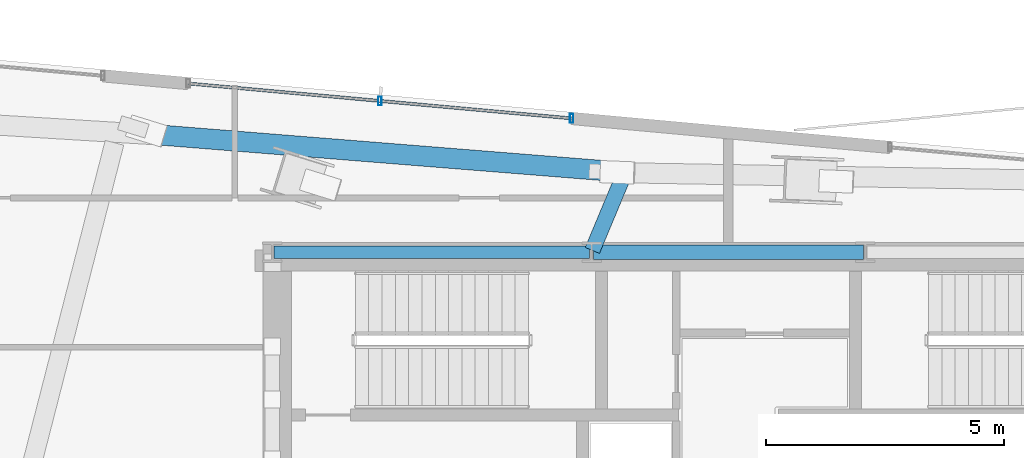
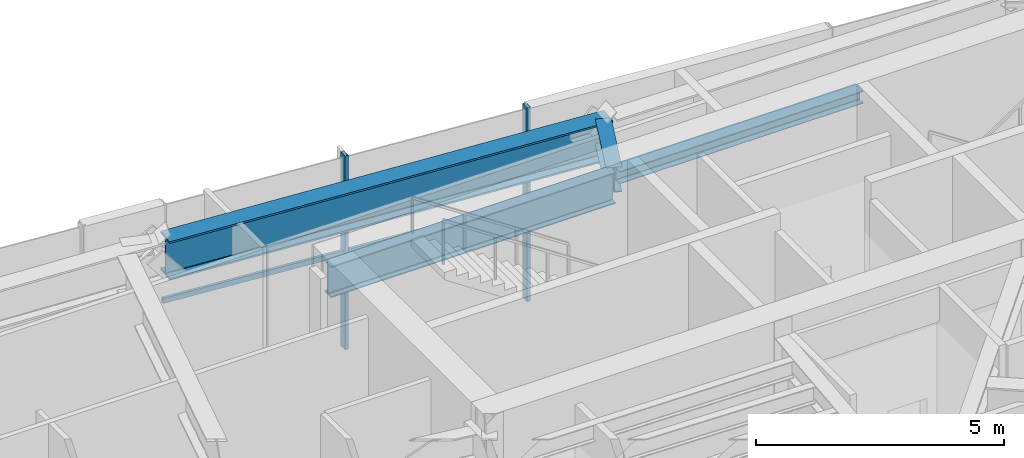
# One storey, part 7 of 20: 4 beams, 4 members, 1 element without a shape of its own.
"""IFC4 building model written with IfcOpenShell, lengths in metres."""

from ifc_helpers import new_model, si_unit, direction, frame, origin, origin_2d, place, context, subcontext, project, spatial, hollow_rectangle, i_section, extrude, source, transform, mapped, material, material_profile, profile_set, type_object, type_shapes, element, aggregate, save


model = new_model("IFC4")

# Units and contexts
model_context = context("Model", 3, precision=1e-05, world=origin(), true_north=direction((0.0, 1.0)))
body_context = subcontext(model_context, "Body", "Model", "MODEL_VIEW")
ifc_project = project(units=[si_unit("LENGTHUNIT", "METRE"), si_unit("AREAUNIT", "SQUARE_METRE"), si_unit("VOLUMEUNIT", "CUBIC_METRE"), si_unit("PLANEANGLEUNIT", "RADIAN"), si_unit("MASSUNIT", "GRAM", prefix="KILO")], contexts=[model_context])

# Site, building, storey
site_placement = place(None, origin())
site = spatial("IfcSite", under=ifc_project, at=site_placement, CompositionType="ELEMENT")
building_placement = place(site_placement, origin())
building = spatial("IfcBuilding", under=site, at=building_placement, Name="Astriad Promenade Condominiums", CompositionType="ELEMENT")
storey_placement = place(building_placement, frame((0.0, 0.0, 211.39990234375)))
storey = spatial("IfcBuildingStorey", under=building, at=storey_placement, Name="L61", CompositionType="ELEMENT", Elevation=211.39990234375)

# Beams
ifc_material_1 = material(Name="Steel ASTM A992 Grade 50", Category="steel")
ifc_material_profile_1 = material_profile(ifc_material_1, i_section(OverallWidth=0.267822265625, OverallDepth=0.76953125, WebThickness=0.015625, FlangeThickness=0.025390625, FilletRadius=0.021484375, at=origin_2d()), Name="W30X132")
ifc_profile_set_1 = profile_set([ifc_material_profile_1], Name="Steel ASTM A992 Grade 50")
beam_type_1 = type_object("IfcBeamType", Name="STEEL FLOOR GIRDER W30X132", PredefinedType="BEAM", material=ifc_profile_set_1)
shared_shape_1 = source(origin(), body_context, "Body", "SweptSolid", [
    extrude(i_section(OverallWidth=0.267822265625, OverallDepth=0.76953125, WebThickness=0.015625, FlangeThickness=0.025390625, FilletRadius=0.021484375, at=origin_2d()), origin(), (0.0, 0.0, 1.0), 6.64013671875),
])
type_shapes(beam_type_1, [shared_shape_1])
beam_1_placement = place(storey_placement, frame((26.43994140625, 24.0, 4.395263671875), z_axis=(1.0, 0.0, 0.0), x_axis=(0.0, 1.0, 0.0)))
element("IfcBeam", 1, at=beam_1_placement, inside=storey, type_object=beam_type_1, Name="Core Ring Beam CG-N1-L61", PredefinedType="BEAM", context=body_context, shape_type="MappedRepresentation", body=[
    mapped(shared_shape_1, transform((0.0, 0.0, 0.0), scale=1.0)),
])
ifc_material_profile_2 = material_profile(ifc_material_1, i_section(OverallWidth=0.3046875, OverallDepth=0.307861328125, WebThickness=0.010009765625, FlangeThickness=0.015380859375, FilletRadius=0.01513671875, at=origin_2d()), Name="W12X65")
ifc_profile_set_2 = profile_set([ifc_material_profile_2], Name="Steel ASTM A992 Grade 50")
beam_type_2 = type_object("IfcBeamType", Name="STEEL OPENING LINTEL W12X65", PredefinedType="LINTEL", material=ifc_profile_set_2)
shared_shape_2 = source(origin(), body_context, "Body", "SweptSolid", [
    extrude(i_section(OverallWidth=0.3046875, OverallDepth=0.307861328125, WebThickness=0.010009765625, FlangeThickness=0.015380859375, FilletRadius=0.01513671875, at=origin_2d()), origin(), (0.0, 0.0, 1.0), 5.68017578125),
])
type_shapes(beam_type_2, [shared_shape_2])
beam_2_placement = place(storey_placement, frame((33.159912109375, 24.0, 4.626220703125), z_axis=(1.0, 0.0, 0.0), x_axis=(0.0, 1.0, 0.0)))
element("IfcBeam", 2, at=beam_2_placement, inside=storey, type_object=beam_type_2, Name="Core Ring Beam CG-N2-L61", PredefinedType="LINTEL", context=body_context, shape_type="MappedRepresentation", body=[
    mapped(shared_shape_2, transform((0.0, 0.0, 0.0), scale=1.0)),
])
ifc_material_profile_3 = material_profile(ifc_material_1, i_section(OverallWidth=0.423095703125, OverallDepth=0.9482421875, WebThickness=0.02392578125, FlangeThickness=0.042724609375, FilletRadius=0.024169921875, at=origin_2d()), Name="W36X302")
ifc_profile_set_3 = profile_set([ifc_material_profile_3], Name="Steel ASTM A992 Grade 50")
beam_type_3 = type_object("IfcBeamType", Name="STEEL PERIMETER RING GIRDER W36X302", PredefinedType="BEAM", material=ifc_profile_set_3)
shared_shape_3 = source(origin(), body_context, "Body", "SweptSolid", [
    extrude(i_section(OverallWidth=0.423095703125, OverallDepth=0.9482421875, WebThickness=0.02392578125, FlangeThickness=0.042724609375, FilletRadius=0.024169921875, at=origin_2d()), origin(), (0.0, 0.0, 1.0), 9.914306640625),
])
type_shapes(beam_type_3, [shared_shape_3])
beam_3_placement = place(storey_placement, frame((33.948974609375, 25.671142578125, 4.305908203125), z_axis=(-0.99680807088, 0.079835266825, 0.0), x_axis=(-0.079835266825, -0.99680807088, 0.0)))
element("IfcBeam", 3, at=beam_3_placement, inside=storey, type_object=beam_type_3, Name="Perimeter Spandrel Beam SP-N2-L61", PredefinedType="BEAM", context=body_context, shape_type="MappedRepresentation", body=[
    mapped(shared_shape_3, transform((0.0, 0.0, 0.0), scale=1.0)),
])
ifc_material_profile_4 = material_profile(ifc_material_1, i_section(OverallWidth=0.326416015625, OverallDepth=0.621826171875, WebThickness=0.015380859375, FlangeThickness=0.0244140625, FilletRadius=0.017822265625, at=origin_2d()), Name="W24X131")
ifc_profile_set_4 = profile_set([ifc_material_profile_4], Name="Steel ASTM A992 Grade 50")
beam_type_4 = type_object("IfcBeamType", Name="STEEL FLOOR GIRDER W24X131", PredefinedType="BEAM", material=ifc_profile_set_4)
shared_shape_4 = source(origin(), body_context, "Body", "SweptSolid", [
    extrude(i_section(OverallWidth=0.326416015625, OverallDepth=0.621826171875, WebThickness=0.015380859375, FlangeThickness=0.0244140625, FilletRadius=0.017822265625, at=origin_2d()), origin(), (0.0, 0.0, 1.0), 1.7353515625),
])
type_shapes(beam_type_4, [shared_shape_4])
beam_4_placement = place(storey_placement, frame((33.804931640625, 25.637939453125, 4.46923828125), z_axis=(-0.385753878252, -0.922601726323, 0.0), x_axis=(0.922601726323, -0.385753878252, 0.0)))
element("IfcBeam", 4, at=beam_4_placement, inside=storey, type_object=beam_type_4, Name="Primary Floor Girder PG-NC-L61", PredefinedType="BEAM", context=body_context, shape_type="MappedRepresentation", body=[
    mapped(shared_shape_4, transform((0.0, 0.0, 0.0), scale=1.0)),
])

# Curtain wall, members
ifc_material_2 = material(Name="Anodised aluminium Black Dark Glass Unitised", Category="aluminium")
curtain_wall_type = type_object("IfcCurtainWallType", Name="CW-B5-DARK", PredefinedType="USERDEFINED", material=ifc_material_2)
curtain_wall_placement = place(storey_placement, origin())
curtain_wall = element("IfcCurtainWall", 5, at=curtain_wall_placement, inside=storey, type_object=curtain_wall_type, Name="CW-L61-N-2", ObjectType="UNITISED_CURTAIN_WALL", PredefinedType="USERDEFINED")
ifc_material_3 = material(Name="Anodised aluminium 6063-T6 Black", Category="aluminium")
ifc_material_profile_5 = material_profile(ifc_material_3, hollow_rectangle(XDim=0.074951171875, YDim=0.18505859375, WallThickness=0.00439453125, at=origin_2d()), Name="ALU-MUL-75X185")
ifc_profile_set_5 = profile_set([ifc_material_profile_5], Name="Anodised aluminium 6063-T6 Black")
member_type_1 = type_object("IfcMemberType", Name="MUL-ALU-MUL-75X185", PredefinedType="MULLION", material=ifc_profile_set_5)
shared_shape_5 = source(origin(), body_context, "Body", "SweptSolid", [
    extrude(hollow_rectangle(XDim=0.074951171875, YDim=0.18505859375, WallThickness=0.00439453125, at=origin_2d()), origin(), (0.0, 0.0, 1.0), 4.780029296875),
])
type_shapes(member_type_1, [shared_shape_5])
member_1_placement = place(storey_placement, frame((28.665283203125, 27.1826171875, 0.0), z_axis=(0.0, 0.0, 1.0), x_axis=(1.0, 0.0, 0.0)))
member_1 = element("IfcMember", 6, at=member_1_placement, type_object=member_type_1, Name="CW-L61-N-2-MUL-01", PredefinedType="MULLION", context=body_context, shape_type="MappedRepresentation", body=[
    mapped(shared_shape_5, transform((0.0, 0.0, 0.0), scale=1.0)),
])
member_2_placement = place(storey_placement, frame((32.698486328125, 26.8154296875, 0.0), z_axis=(0.0, 0.0, 1.0), x_axis=(1.0, 0.0, 0.0)))
member_2 = element("IfcMember", 7, at=member_2_placement, type_object=member_type_1, Name="CW-L61-N-2-MUL-02", PredefinedType="MULLION", context=body_context, shape_type="MappedRepresentation", body=[
    mapped(shared_shape_5, transform((0.0, 0.0, 0.0), scale=1.0)),
])
ifc_material_profile_6 = material_profile(ifc_material_3, hollow_rectangle(XDim=0.06494140625, YDim=0.1298828125, WallThickness=0.00390625, at=origin_2d()), Name="ALU-TRN-65X130")
ifc_profile_set_6 = profile_set([ifc_material_profile_6], Name="Anodised aluminium 6063-T6 Black")
member_type_2 = type_object("IfcMemberType", Name="TRN-ALU-TRN-65X130", PredefinedType="USERDEFINED", material=ifc_profile_set_6)
shared_shape_6 = source(origin(), body_context, "Body", "SweptSolid", [
    extrude(hollow_rectangle(XDim=0.06494140625, YDim=0.1298828125, WallThickness=0.00390625, at=origin_2d()), origin(), (0.0, 0.0, 1.0), 4.0498046875),
])
member_3_placement = place(storey_placement, frame((28.665283203125, 27.1826171875, 2.35009765625), z_axis=(0.9958813389, -0.090666194534, 0.0), x_axis=(0.090666194534, 0.9958813389, 0.0)))
member_3 = element("IfcMember", 8, at=member_3_placement, type_object=member_type_2, Name="CW-L61-N-2-TRN-01-0", ObjectType="TRANSOM", PredefinedType="USERDEFINED", context=body_context, shape_type="MappedRepresentation", body=[
    mapped(shared_shape_6, transform((0.0, 0.0, 0.0), scale=1.0)),
])
shared_shape_7 = source(origin(), body_context, "Body", "SweptSolid", [
    extrude(hollow_rectangle(XDim=0.06494140625, YDim=0.1298828125, WallThickness=0.00390625, at=origin_2d()), origin(), (0.0, 0.0, 1.0), 4.050048828125),
])
type_shapes(member_type_2, [shared_shape_6, shared_shape_7])
member_4_placement = place(storey_placement, frame((24.6318359375, 27.549560546875, 2.35009765625), z_axis=(0.995887275143, -0.090600966923, 0.0), x_axis=(0.090600966923, 0.995887275143, 0.0)))
member_4 = element("IfcMember", 9, at=member_4_placement, type_object=member_type_2, Name="CW-L61-N-2-TRN-00-0", ObjectType="TRANSOM", PredefinedType="USERDEFINED", context=body_context, shape_type="MappedRepresentation", body=[
    mapped(shared_shape_7, transform((0.0, 0.0, 0.0), scale=1.0)),
])
aggregate(curtain_wall, [member_1, member_2, member_4, member_3])

save(model, "model.ifc")
